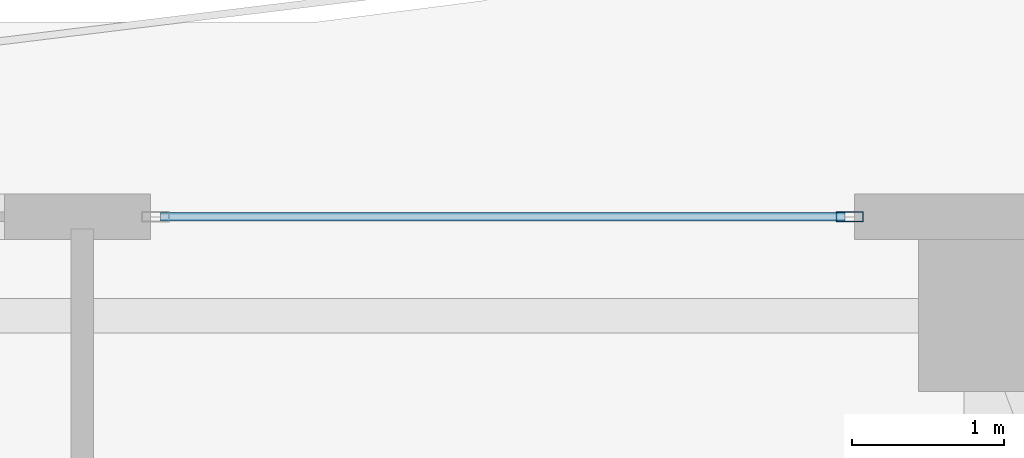
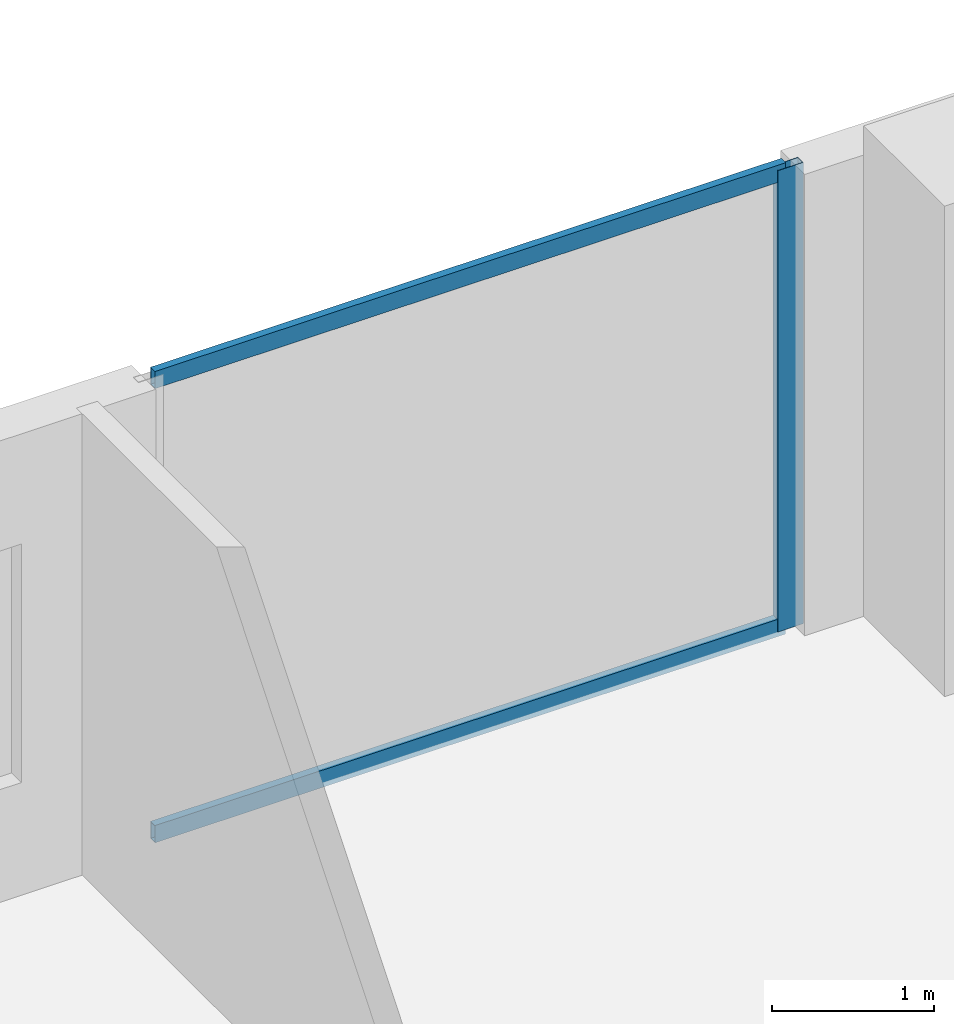
# One storey, part 16 of 26: 3 members, 1 element without a shape of its own.
"""IFC4 building model written with IfcOpenShell, lengths in metres."""

from ifc_helpers import new_model, si_unit, direction, frame, origin, origin_2d, place, context, subcontext, project, spatial, hollow_rectangle, extrude, material, layer, layer_set, material_profile, profile_set, type_object, element, aggregate, save


model = new_model("IFC4")

# Units and contexts
model_context = context("Model", 3, precision=1e-05, world=origin(), true_north=direction((0.0, 1.0)))
body_context = subcontext(model_context, "Body", "Model", "MODEL_VIEW")
ifc_project = project(units=[si_unit("LENGTHUNIT", "METRE"), si_unit("AREAUNIT", "SQUARE_METRE"), si_unit("VOLUMEUNIT", "CUBIC_METRE"), si_unit("PLANEANGLEUNIT", "RADIAN"), si_unit("MASSUNIT", "GRAM", prefix="KILO")], contexts=[model_context])

# Site, building, storey
site_placement = place(None, origin())
site = spatial("IfcSite", under=ifc_project, at=site_placement, CompositionType="ELEMENT")
building_placement = place(site_placement, origin())
building = spatial("IfcBuilding", under=site, at=building_placement, Name="Zuhayl Quay Hotel", CompositionType="ELEMENT")
storey_placement = place(building_placement, frame((0.0, 0.0, 247.050048828125)))
storey = spatial("IfcBuildingStorey", under=building, at=storey_placement, Name="L62", CompositionType="ELEMENT", Elevation=247.050048828125)

# Curtain wall, members
ifc_material_1 = material(Name="Anodised Aluminium 6063-T6", Category="aluminium")
ifc_layer = layer(ifc_material_1, 0.169921875, Name="Anodised Aluminium 6063-T6", Category="aluminium")
ifc_layer_set = layer_set([ifc_layer], Name="Anodised Aluminium 6063-T6")
curtain_wall_type = type_object("IfcCurtainWallType", Name="CW_SYS_Z4", PredefinedType="USERDEFINED", material=ifc_layer_set)
curtain_wall_placement = place(storey_placement, origin())
curtain_wall = element("IfcCurtainWall", 1, at=curtain_wall_placement, inside=storey, type_object=curtain_wall_type, Name="L62 Curtain Wall ENV_L62_N_CW1", ObjectType="UNITISED CURTAIN WALL", PredefinedType="USERDEFINED")
ifc_material_2 = material(Name="Black-anodised aluminium 6063-T6", Category="aluminium")
ifc_material_profile_1 = material_profile(ifc_material_2, hollow_rectangle(XDim=0.06494140625, YDim=0.179931640625, WallThickness=0.00341796875, at=origin_2d()), Name="ALU180X65")
ifc_profile_set_1 = profile_set([ifc_material_profile_1], Name="Black-anodised aluminium 6063-T6")
member_type_1 = type_object("IfcMemberType", Name="MB_CW_MUL_180", PredefinedType="MULLION", material=ifc_profile_set_1)
member_1_placement = place(storey_placement, frame((12.847412109375, 39.0, 0.0), z_axis=(0.0, 0.0, 1.0), x_axis=(0.0, 1.0, 0.0)))
member_1 = element("IfcMember", 2, at=member_1_placement, type_object=member_type_1, Name="CW-Z4 mullion 2", PredefinedType="MULLION", context=body_context, shape_type="SweptSolid", body=[
    extrude(hollow_rectangle(XDim=0.06494140625, YDim=0.179931640625, WallThickness=0.00341796875, at=origin_2d()), origin(), (0.0, 0.0, 1.0), 3.47998046875),
])
ifc_material_profile_2 = material_profile(ifc_material_2, hollow_rectangle(XDim=0.054931640625, YDim=0.1298828125, WallThickness=0.0029296875, at=origin_2d()), Name="ALU130X55")
ifc_profile_set_2 = profile_set([ifc_material_profile_2], Name="Black-anodised aluminium 6063-T6")
member_type_2 = type_object("IfcMemberType", Name="MB_CW_TRN_130", PredefinedType="USERDEFINED", material=ifc_profile_set_2)
member_2_placement = place(storey_placement, frame((8.31494140625, 39.0, 0.02734375), z_axis=(1.0, 0.0, 0.0), x_axis=(0.0, 1.0, 0.0)))
member_2 = element("IfcMember", 3, at=member_2_placement, type_object=member_type_2, Name="CW-Z4 transom 1.1", ObjectType="TRANSOM", PredefinedType="USERDEFINED", context=body_context, shape_type="SweptSolid", body=[
    extrude(hollow_rectangle(XDim=0.054931640625, YDim=0.1298828125, WallThickness=0.0029296875, at=origin_2d()), origin(), (0.0, 0.0, 1.0), 4.5),
])
member_3_placement = place(storey_placement, frame((8.31494140625, 39.0, 3.452392578125), z_axis=(1.0, 0.0, 0.0), x_axis=(0.0, 1.0, 0.0)))
member_3 = element("IfcMember", 4, at=member_3_placement, type_object=member_type_2, Name="CW-Z4 transom 1.2", ObjectType="TRANSOM", PredefinedType="USERDEFINED", context=body_context, shape_type="SweptSolid", body=[
    extrude(hollow_rectangle(XDim=0.054931640625, YDim=0.1298828125, WallThickness=0.0029296875, at=origin_2d()), origin(), (0.0, 0.0, 1.0), 4.5),
])
aggregate(curtain_wall, [member_1, member_2, member_3])

save(model, "model.ifc")
